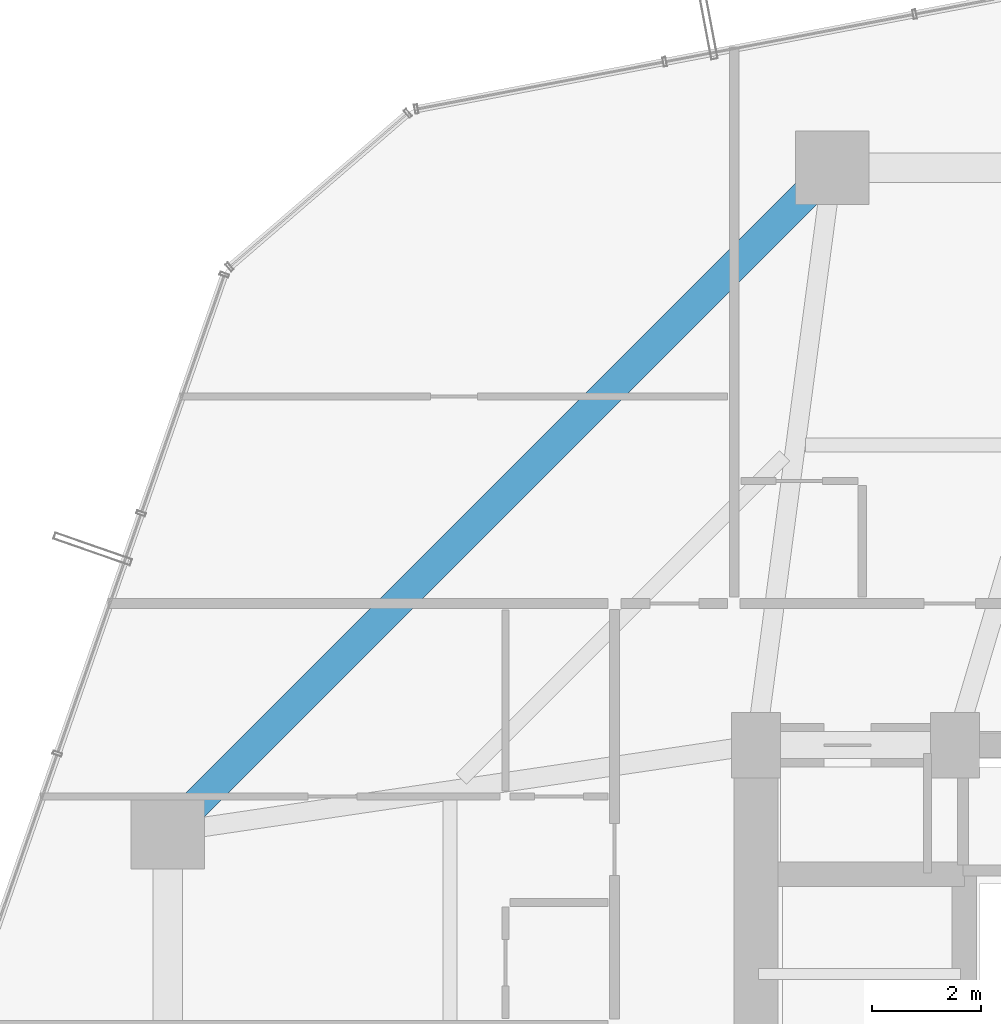
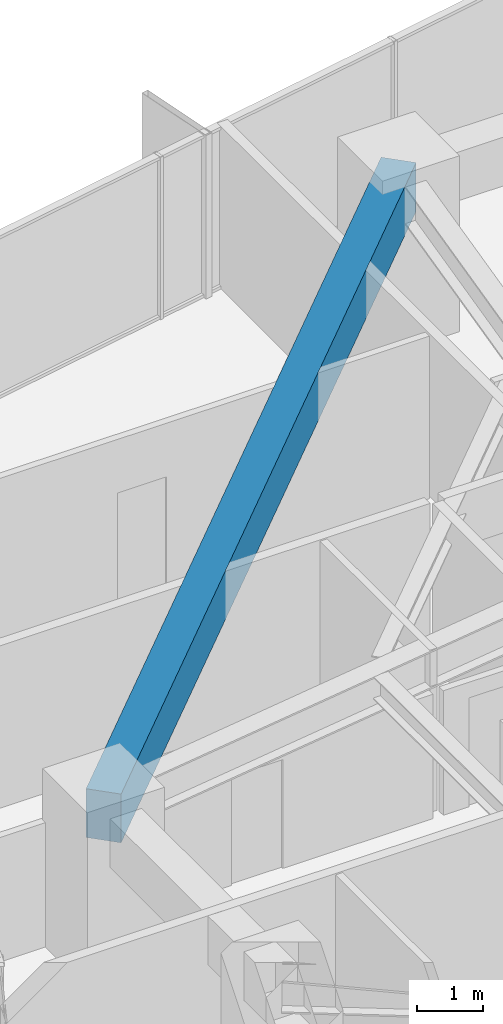
# One storey, part 22 of 38: 1 beam.
"""IFC4 building model written with IfcOpenShell, lengths in metres."""

from ifc_helpers import new_model, si_unit, direction, frame, origin, origin_2d, place, context, subcontext, project, spatial, rectangle, extrude, material, material_profile, profile_set, type_object, element, save


model = new_model("IFC4")

# Units and contexts
model_context = context("Model", 3, precision=1e-05, world=origin(), true_north=direction((0.0, 1.0)))
body_context = subcontext(model_context, "Body", "Model", "MODEL_VIEW")
ifc_project = project(units=[si_unit("LENGTHUNIT", "METRE"), si_unit("AREAUNIT", "SQUARE_METRE"), si_unit("VOLUMEUNIT", "CUBIC_METRE"), si_unit("PLANEANGLEUNIT", "RADIAN"), si_unit("MASSUNIT", "GRAM", prefix="KILO")], contexts=[model_context])

# Site, building, storey
site_placement = place(None, origin())
site = spatial("IfcSite", under=ifc_project, at=site_placement, CompositionType="ELEMENT")
building_placement = place(site_placement, origin())
building = spatial("IfcBuilding", under=site, at=building_placement, Name="Veraguas Prism Commons", CompositionType="ELEMENT")
storey_placement = place(building_placement, frame((0.0, 0.0, 60.85009765625)))
storey = spatial("IfcBuildingStorey", under=building, at=storey_placement, Name="L16", CompositionType="ELEMENT", Elevation=60.85009765625)

# Beam
ifc_material = material(Name="Concrete C50/60", Category="concrete")
ifc_material_profile = material_profile(ifc_material, rectangle(XDim=0.550048828125, YDim=0.89990234375, at=origin_2d()), Name="RC550X900")
ifc_profile_set = profile_set([ifc_material_profile], Name="Concrete C50/60")
beam_type = type_object("IfcBeamType", Name="Perimeter Spandrel Lower RC 550x900", PredefinedType="SPANDREL", material=ifc_profile_set)
beam_placement = place(storey_placement, frame((18.60009765625, 41.60009765625, 2.5498046875), z_axis=(-0.707106781187, -0.707106781187, 0.0), x_axis=(0.707106781187, -0.707106781187, 0.0)))
element("IfcBeam", 1, at=beam_placement, inside=storey, type_object=beam_type, Name="Perimeter Spandrel Beam L16-SP06", PredefinedType="SPANDREL", context=body_context, shape_type="SweptSolid", body=[
    extrude(rectangle(XDim=0.550048828125, YDim=0.89990234375, at=origin_2d()), origin(), (0.0, 0.0, 1.0), 17.253662109375),
])

save(model, "model.ifc")
